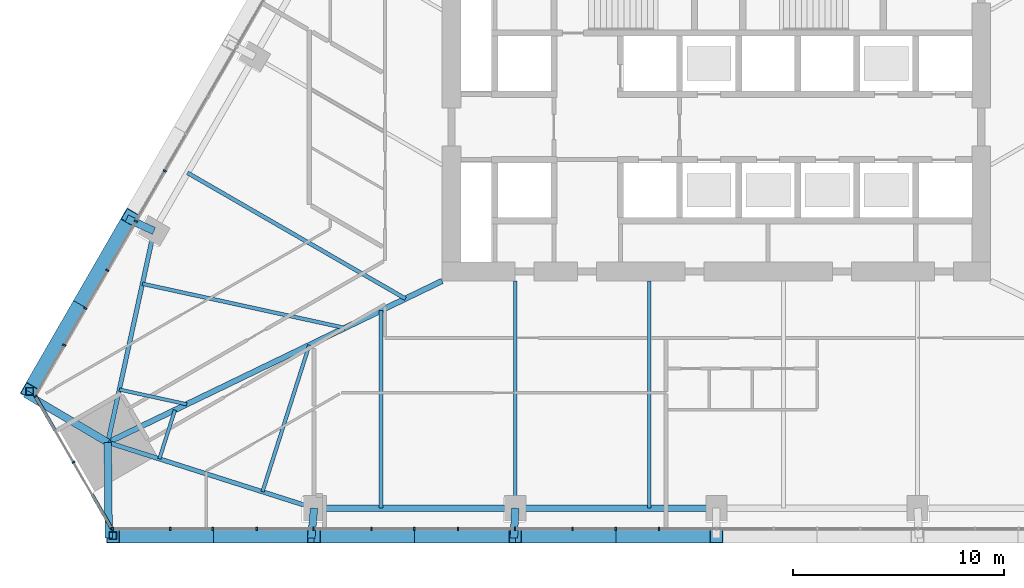
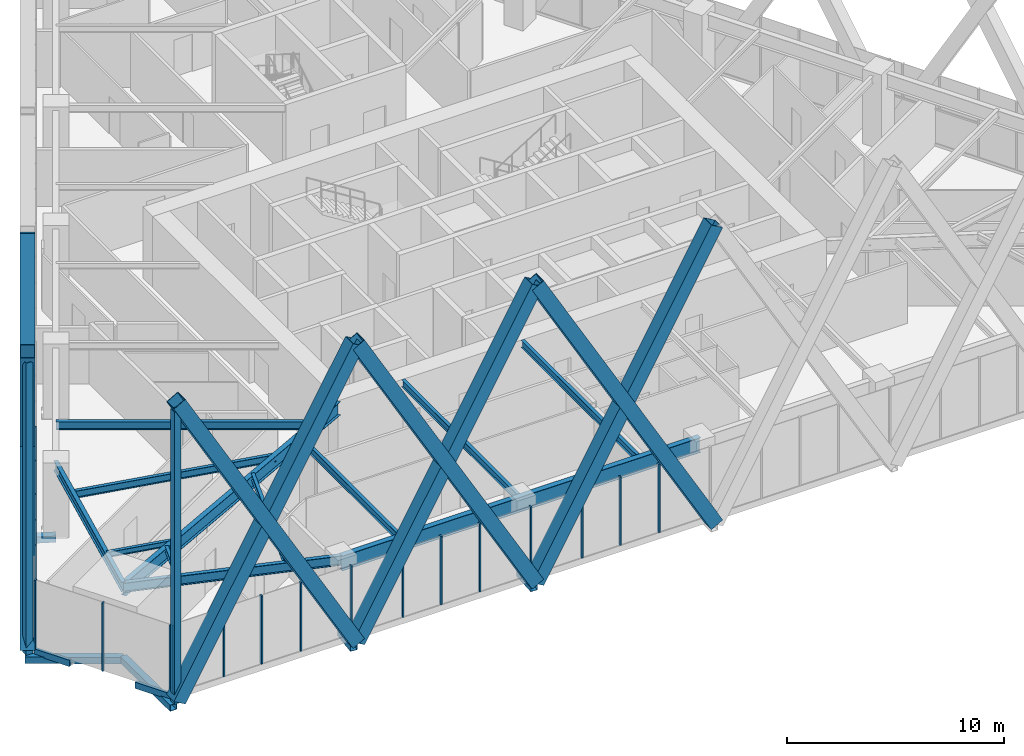
# One storey, part 2 of 23: 37 members, 12 beams, 3 elements without a shape of their own.
"""IFC4 building model written with IfcOpenShell, lengths in metres."""

from ifc_helpers import new_model, si_unit, direction, frame, origin, origin_2d, place, context, subcontext, project, spatial, rectangle, hollow_rectangle, i_section, extrude, material, layer, layer_set, material_profile, profile_set, type_object, element, aggregate, save


model = new_model("IFC4")

# Units and contexts
model_context = context("Model", 3, precision=1e-05, world=origin(), true_north=direction((0.0, 1.0)))
body_context = subcontext(model_context, "Body", "Model", "MODEL_VIEW")
ifc_project = project(units=[si_unit("LENGTHUNIT", "METRE"), si_unit("AREAUNIT", "SQUARE_METRE"), si_unit("VOLUMEUNIT", "CUBIC_METRE"), si_unit("PLANEANGLEUNIT", "RADIAN"), si_unit("MASSUNIT", "GRAM", prefix="KILO")], contexts=[model_context])

# Site, building, storey
site_placement = place(None, origin())
site = spatial("IfcSite", under=ifc_project, at=site_placement, CompositionType="ELEMENT")
building_placement = place(site_placement, origin())
building = spatial("IfcBuilding", under=site, at=building_placement, Name="Firuza Gate Tower and Library", CompositionType="ELEMENT")
storey_placement = place(building_placement, frame((0.0, 0.0, 56.800048828125)))
storey = spatial("IfcBuildingStorey", under=building, at=storey_placement, Name="L12", CompositionType="ELEMENT", Elevation=56.800048828125)

# Members
ifc_material_1 = material(Name="Steel S355", Category="steel")
ifc_material_profile_1 = material_profile(ifc_material_1, hollow_rectangle(XDim=0.699951171875, YDim=0.699951171875, WallThickness=0.030029296875, at=origin_2d()))
ifc_profile_set_1 = profile_set([ifc_material_profile_1], Name="Steel S355")
member_type_1 = type_object("IfcMemberType", Name="BU700x700x30 Lattice brace", PredefinedType="BRACE", material=ifc_profile_set_1)
for number, where, z_axis, x_axis, name in (
    (1, (46.396728515625, 53.928955078125, 0.0), (0.493576582997, 0.0, 0.869702337997), (0.0, 1.0, 0.0), "Lattice brace S 2.1R"),
    (2, (55.93115234375, 53.928955078125, 0.0), (-0.493576582997, 0.0, 0.869702337997), (0.0, -1.0, 0.0), "Lattice brace S 2.1L"),
    (3, (55.93115234375, 53.928955078125, 0.0), (0.493576582997, 0.0, 0.869702337997), (0.0, 1.0, 0.0), "Lattice brace S 2.2R"),
    (4, (65.465576171875, 53.928955078125, 0.0), (-0.493576582997, 0.0, 0.869702337997), (0.0, -1.0, 0.0), "Lattice brace S 2.2L"),
    (5, (65.465576171875, 53.928955078125, 0.0), (0.493576582997, 0.0, 0.869702337997), (0.0, 1.0, 0.0), "Lattice brace S 2.3R"),
    (6, (75.0, 53.928955078125, 0.0), (-0.493576582997, 0.0, 0.869702337997), (0.0, -1.0, 0.0), "Lattice brace S 2.3L"),
):
    element("IfcMember", number, at=place(storey_placement, frame(where, z_axis=z_axis, x_axis=x_axis)), inside=storey, type_object=member_type_1, Name=name, PredefinedType="BRACE", context=body_context, shape_type="SweptSolid", body=[
        extrude(hollow_rectangle(XDim=0.699951171875, YDim=0.699951171875, WallThickness=0.030029296875, at=origin_2d()), origin(), (0.0, 0.0, 1.0), 19.31689453125),
    ])
for number, where, z_axis, x_axis, name in (
    (7, (47.217529296875, 69.021484375, 0.0), (-0.246794079392, -0.427450328219, 0.869700465265), (0.866020563445, -0.50000838362, 0.0), "Lattice brace W 2.6R"),
    (8, (42.4501953125, 60.764404296875, 0.0), (0.246794079392, 0.427450328219, 0.869700465265), (-0.866020563445, 0.50000838362, 0.0), "Lattice brace W 2.6L"),
):
    element("IfcMember", number, at=place(storey_placement, frame(where, z_axis=z_axis, x_axis=x_axis)), inside=storey, type_object=member_type_1, Name=name, PredefinedType="BRACE", context=body_context, shape_type="SweptSolid", body=[
        extrude(hollow_rectangle(XDim=0.699951171875, YDim=0.699951171875, WallThickness=0.030029296875, at=origin_2d()), origin(), (0.0, 0.0, 1.0), 19.317138671875),
    ])

# Curtain wall, members
ifc_material_2 = material(Name="Aluminium 6063-T6", Category="aluminium")
ifc_layer_1 = layer(ifc_material_2, 0.14990234375)
ifc_layer_set_1 = layer_set([ifc_layer_1], Name="Unitised curtain wall, offices")
curtain_wall_type_1 = type_object("IfcCurtainWallType", Name="Unitised curtain wall, offices", PredefinedType="NOTDEFINED", material=ifc_layer_set_1)
placement = place(storey_placement, origin())
curtain_wall_1 = element("IfcCurtainWall", 9, at=placement, inside=storey, type_object=curtain_wall_type_1, Name="CW1 L12 S face", PredefinedType="NOTDEFINED")
ifc_material_3 = material(Name="Aluminium 6063-T6", Category="aluminium")
ifc_material_profile_2 = material_profile(ifc_material_3, rectangle(XDim=0.14990234375, YDim=0.080078125, at=origin_2d()))
ifc_profile_set_2 = profile_set([ifc_material_profile_2], Name="Aluminium 6063-T6")
member_type_2 = type_object("IfcMemberType", Name="Curtain wall mullion 80x150", PredefinedType="MULLION", material=ifc_profile_set_2)
member_1_placement = place(storey_placement, frame((46.393310546875, 54.25390625, 0.14990234375), z_axis=(0.0, 0.0, 1.0), x_axis=(0.0, 1.0, 0.0)))
member_1 = element("IfcMember", 10, at=member_1_placement, type_object=member_type_2, Name="Mullion", PredefinedType="MULLION", context=body_context, shape_type="SweptSolid", body=[
    extrude(rectangle(XDim=0.14990234375, YDim=0.080078125, at=origin_2d()), origin(), (0.0, 0.0, 1.0), 3.85009765625),
])
member_2_placement = place(storey_placement, frame((51.127685546875, 54.25390625, 0.14990234375), z_axis=(0.0, 0.0, 1.0), x_axis=(0.0, 1.0, 0.0)))
member_2 = element("IfcMember", 11, at=member_2_placement, type_object=member_type_2, Name="Mullion", PredefinedType="MULLION", context=body_context, shape_type="SweptSolid", body=[
    extrude(rectangle(XDim=0.14990234375, YDim=0.080078125, at=origin_2d()), origin(), (0.0, 0.0, 1.0), 3.85009765625),
])
member_3_placement = place(storey_placement, frame((55.902099609375, 54.25390625, 0.14990234375), z_axis=(0.0, 0.0, 1.0), x_axis=(0.0, 1.0, 0.0)))
member_3 = element("IfcMember", 12, at=member_3_placement, type_object=member_type_2, Name="Mullion", PredefinedType="MULLION", context=body_context, shape_type="SweptSolid", body=[
    extrude(rectangle(XDim=0.14990234375, YDim=0.080078125, at=origin_2d()), origin(), (0.0, 0.0, 1.0), 3.85009765625),
])
member_4_placement = place(storey_placement, frame((60.6767578125, 54.25390625, 0.14990234375), z_axis=(0.0, 0.0, 1.0), x_axis=(0.0, 1.0, 0.0)))
member_4 = element("IfcMember", 13, at=member_4_placement, type_object=member_type_2, Name="Mullion", PredefinedType="MULLION", context=body_context, shape_type="SweptSolid", body=[
    extrude(rectangle(XDim=0.14990234375, YDim=0.080078125, at=origin_2d()), origin(), (0.0, 0.0, 1.0), 3.85009765625),
])
member_5_placement = place(storey_placement, frame((65.451171875, 54.25390625, 0.14990234375), z_axis=(0.0, 0.0, 1.0), x_axis=(0.0, 1.0, 0.0)))
member_5 = element("IfcMember", 14, at=member_5_placement, type_object=member_type_2, Name="Mullion", PredefinedType="MULLION", context=body_context, shape_type="SweptSolid", body=[
    extrude(rectangle(XDim=0.14990234375, YDim=0.080078125, at=origin_2d()), origin(), (0.0, 0.0, 1.0), 3.85009765625),
])
member_6_placement = place(storey_placement, frame((70.2255859375, 54.25390625, 0.14990234375), z_axis=(0.0, 0.0, 1.0), x_axis=(0.0, 1.0, 0.0)))
member_6 = element("IfcMember", 15, at=member_6_placement, type_object=member_type_2, Name="Mullion", PredefinedType="MULLION", context=body_context, shape_type="SweptSolid", body=[
    extrude(rectangle(XDim=0.14990234375, YDim=0.080078125, at=origin_2d()), origin(), (0.0, 0.0, 1.0), 3.85009765625),
])
member_7_placement = place(storey_placement, frame((49.1142578125, 54.25390625, 0.14990234375), z_axis=(0.0, 0.0, 1.0), x_axis=(0.0, 1.0, 0.0)))
member_7 = element("IfcMember", 16, at=member_7_placement, type_object=member_type_2, Name="Mullion", PredefinedType="MULLION", context=body_context, shape_type="SweptSolid", body=[
    extrude(rectangle(XDim=0.14990234375, YDim=0.080078125, at=origin_2d()), origin(), (0.0, 0.0, 1.0), 3.85009765625),
])
member_8_placement = place(storey_placement, frame((53.213623046875, 54.25390625, 0.14990234375), z_axis=(0.0, 0.0, 1.0), x_axis=(0.0, 1.0, 0.0)))
member_8 = element("IfcMember", 17, at=member_8_placement, type_object=member_type_2, Name="Mullion", PredefinedType="MULLION", context=body_context, shape_type="SweptSolid", body=[
    extrude(rectangle(XDim=0.14990234375, YDim=0.080078125, at=origin_2d()), origin(), (0.0, 0.0, 1.0), 3.85009765625),
])
member_9_placement = place(storey_placement, frame((58.648681640625, 54.25390625, 0.14990234375), z_axis=(0.0, 0.0, 1.0), x_axis=(0.0, 1.0, 0.0)))
member_9 = element("IfcMember", 18, at=member_9_placement, type_object=member_type_2, Name="Mullion", PredefinedType="MULLION", context=body_context, shape_type="SweptSolid", body=[
    extrude(rectangle(XDim=0.14990234375, YDim=0.080078125, at=origin_2d()), origin(), (0.0, 0.0, 1.0), 3.85009765625),
])
member_10_placement = place(storey_placement, frame((62.748046875, 54.25390625, 0.14990234375), z_axis=(0.0, 0.0, 1.0), x_axis=(0.0, 1.0, 0.0)))
member_10 = element("IfcMember", 19, at=member_10_placement, type_object=member_type_2, Name="Mullion", PredefinedType="MULLION", context=body_context, shape_type="SweptSolid", body=[
    extrude(rectangle(XDim=0.14990234375, YDim=0.080078125, at=origin_2d()), origin(), (0.0, 0.0, 1.0), 3.85009765625),
])
member_11_placement = place(storey_placement, frame((68.18310546875, 54.25390625, 0.14990234375), z_axis=(0.0, 0.0, 1.0), x_axis=(0.0, 1.0, 0.0)))
member_11 = element("IfcMember", 20, at=member_11_placement, type_object=member_type_2, Name="Mullion", PredefinedType="MULLION", context=body_context, shape_type="SweptSolid", body=[
    extrude(rectangle(XDim=0.14990234375, YDim=0.080078125, at=origin_2d()), origin(), (0.0, 0.0, 1.0), 3.85009765625),
])
member_12_placement = place(storey_placement, frame((72.282470703125, 54.25390625, 0.14990234375), z_axis=(0.0, 0.0, 1.0), x_axis=(0.0, 1.0, 0.0)))
member_12 = element("IfcMember", 21, at=member_12_placement, type_object=member_type_2, Name="Mullion", PredefinedType="MULLION", context=body_context, shape_type="SweptSolid", body=[
    extrude(rectangle(XDim=0.14990234375, YDim=0.080078125, at=origin_2d()), origin(), (0.0, 0.0, 1.0), 3.85009765625),
])
aggregate(curtain_wall_1, [member_1, member_2, member_3, member_4, member_5, member_6, member_7, member_8, member_9, member_10, member_11, member_12])

curtain_wall_2 = element("IfcCurtainWall", 22, at=placement, inside=storey, type_object=curtain_wall_type_1, Name="CW1 L12 W face", PredefinedType="NOTDEFINED")
member_13_placement = place(storey_placement, frame((47.484375, 68.833984375, 0.14990234375), z_axis=(0.0, 0.0, 1.0), x_axis=(0.866025403784, -0.5, 0.0)))
member_13 = element("IfcMember", 23, at=member_13_placement, type_object=member_type_2, Name="Mullion", PredefinedType="MULLION", context=body_context, shape_type="SweptSolid", body=[
    extrude(rectangle(XDim=0.14990234375, YDim=0.080078125, at=origin_2d()), origin(), (0.0, 0.0, 1.0), 3.85009765625),
])
member_14_placement = place(storey_placement, frame((45.09716796875, 64.698974609375, 0.14990234375), z_axis=(0.0, 0.0, 1.0), x_axis=(0.866025403784, -0.5, 0.0)))
member_14 = element("IfcMember", 24, at=member_14_placement, type_object=member_type_2, Name="Mullion", PredefinedType="MULLION", context=body_context, shape_type="SweptSolid", body=[
    extrude(rectangle(XDim=0.14990234375, YDim=0.080078125, at=origin_2d()), origin(), (0.0, 0.0, 1.0), 3.85009765625),
])
member_15_placement = place(storey_placement, frame((48.857666015625, 71.21240234375, 0.14990234375), z_axis=(0.0, 0.0, 1.0), x_axis=(0.866025403784, -0.5, 0.0)))
member_15 = element("IfcMember", 25, at=member_15_placement, type_object=member_type_2, Name="Mullion", PredefinedType="MULLION", context=body_context, shape_type="SweptSolid", body=[
    extrude(rectangle(XDim=0.14990234375, YDim=0.080078125, at=origin_2d()), origin(), (0.0, 0.0, 1.0), 3.85009765625),
])
member_16_placement = place(storey_placement, frame((46.14013671875, 66.50537109375, 0.14990234375), z_axis=(0.0, 0.0, 1.0), x_axis=(0.866025403784, -0.5, 0.0)))
member_16 = element("IfcMember", 26, at=member_16_placement, type_object=member_type_2, Name="Mullion", PredefinedType="MULLION", context=body_context, shape_type="SweptSolid", body=[
    extrude(rectangle(XDim=0.14990234375, YDim=0.080078125, at=origin_2d()), origin(), (0.0, 0.0, 1.0), 3.85009765625),
])
member_17_placement = place(storey_placement, frame((44.09033203125, 62.955322265625, 0.14990234375), z_axis=(0.0, 0.0, 1.0), x_axis=(0.866025403784, -0.5, 0.0)))
member_17 = element("IfcMember", 27, at=member_17_placement, type_object=member_type_2, Name="Mullion", PredefinedType="MULLION", context=body_context, shape_type="SweptSolid", body=[
    extrude(rectangle(XDim=0.14990234375, YDim=0.080078125, at=origin_2d()), origin(), (0.0, 0.0, 1.0), 3.85009765625),
])
aggregate(curtain_wall_2, [member_13, member_14, member_15, member_16, member_17])

ifc_material_4 = material(Name="Aluminium 6063-T6", Category="aluminium")
ifc_layer_2 = layer(ifc_material_4, 0.14990234375)
ifc_layer_set_2 = layer_set([ifc_layer_2], Name="Corner curtain wall, chamfers")
curtain_wall_type_2 = type_object("IfcCurtainWallType", Name="Corner curtain wall, chamfers", PredefinedType="NOTDEFINED", material=ifc_layer_set_2)
curtain_wall_3 = element("IfcCurtainWall", 28, at=placement, inside=storey, type_object=curtain_wall_type_2, Name="CW4 L12 SW corner", PredefinedType="NOTDEFINED")
member_18_placement = place(storey_placement, frame((42.72998046875, 60.529541015625, 0.14990234375), z_axis=(0.0, 0.0, 1.0), x_axis=(0.866025403784, 0.5, 0.0)))
member_18 = element("IfcMember", 29, at=member_18_placement, type_object=member_type_2, Name="Mullion", PredefinedType="MULLION", context=body_context, shape_type="SweptSolid", body=[
    extrude(rectangle(XDim=0.14990234375, YDim=0.080078125, at=origin_2d()), origin(), (0.0, 0.0, 1.0), 3.85009765625),
])
member_19_placement = place(storey_placement, frame((44.53173828125, 57.4091796875, 0.14990234375), z_axis=(0.0, 0.0, 1.0), x_axis=(0.866025403784, 0.5, 0.0)))
member_19 = element("IfcMember", 30, at=member_19_placement, type_object=member_type_2, Name="Mullion", PredefinedType="MULLION", context=body_context, shape_type="SweptSolid", body=[
    extrude(rectangle(XDim=0.14990234375, YDim=0.080078125, at=origin_2d()), origin(), (0.0, 0.0, 1.0), 3.85009765625),
])
member_20_placement = place(storey_placement, frame((46.333251953125, 54.28857421875, 0.14990234375), z_axis=(0.0, 0.0, 1.0), x_axis=(0.866025403784, 0.5, 0.0)))
member_20 = element("IfcMember", 31, at=member_20_placement, type_object=member_type_2, Name="Mullion", PredefinedType="MULLION", context=body_context, shape_type="SweptSolid", body=[
    extrude(rectangle(XDim=0.14990234375, YDim=0.080078125, at=origin_2d()), origin(), (0.0, 0.0, 1.0), 3.85009765625),
])
ifc_material_5 = material(Name="Aluminium 6063-T6", Category="aluminium")
ifc_material_profile_3 = material_profile(ifc_material_5, rectangle(XDim=0.14990234375, YDim=0.35009765625, at=origin_2d()))
ifc_profile_set_3 = profile_set([ifc_material_profile_3], Name="Aluminium 6063-T6")
member_type_3 = type_object("IfcMemberType", Name="Curtain wall transom 350x150", PredefinedType="USERDEFINED", material=ifc_profile_set_3)
member_21_placement = place(storey_placement, frame((42.7099609375, 60.564208984375, -0.025146484375), z_axis=(0.499983064336, -0.866035181374, 0.0), x_axis=(0.866035181374, 0.499983064336, 0.0)))
member_21 = element("IfcMember", 32, at=member_21_placement, type_object=member_type_3, Name="Transom", ObjectType="TRANSOM", PredefinedType="USERDEFINED", context=body_context, shape_type="SweptSolid", body=[
    extrude(rectangle(XDim=0.14990234375, YDim=0.35009765625, at=origin_2d()), origin(), (0.0, 0.0, 1.0), 1.89208984375),
])
member_22_placement = place(storey_placement, frame((45.4072265625, 55.892578125, -0.025146484375), z_axis=(0.499983064336, -0.866035181374, 0.0), x_axis=(0.866035181374, 0.499983064336, 0.0)))
member_22 = element("IfcMember", 33, at=member_22_placement, type_object=member_type_3, Name="Transom", ObjectType="TRANSOM", PredefinedType="USERDEFINED", context=body_context, shape_type="SweptSolid", body=[
    extrude(rectangle(XDim=0.14990234375, YDim=0.35009765625, at=origin_2d()), origin(), (0.0, 0.0, 1.0), 1.89208984375),
])
aggregate(curtain_wall_3, [member_18, member_19, member_20, member_21, member_22])

# Members
ifc_material_6 = material(Name="Steel S355", Category="steel")
ifc_material_profile_4 = material_profile(ifc_material_6, hollow_rectangle(XDim=0.355712890625, YDim=0.355712890625, WallThickness=0.014892578125, at=origin_2d()))
ifc_profile_set_4 = profile_set([ifc_material_profile_4], Name="Steel S355")
member_type_4 = type_object("IfcMemberType", Name="HSS356x356x16 Lattice corner stile", PredefinedType="BRACE", material=ifc_profile_set_4)
for number, where, z_axis, x_axis, name in (
    (34, (46.396728515625, 53.928955078125, -0.14013671875), (0.0, 0.0, 1.0), (1.0, 0.0, 0.0), "Lattice corner stile S 2.A"),
    (35, (42.4501953125, 60.764404296875, -0.14013671875), (0.0, 0.0, 1.0), (1.0, 0.0, 0.0), "Lattice corner stile W 2.B"),
):
    element("IfcMember", number, at=place(storey_placement, frame(where, z_axis=z_axis, x_axis=x_axis)), inside=storey, type_object=member_type_4, Name=name, PredefinedType="BRACE", context=body_context, shape_type="SweptSolid", body=[
        extrude(hollow_rectangle(XDim=0.355712890625, YDim=0.355712890625, WallThickness=0.014892578125, at=origin_2d()), origin(), (0.0, 0.0, 1.0), 16.440185546875),
    ])
ifc_material_7 = material(Name="Steel S355", Category="steel")
ifc_material_profile_5 = material_profile(ifc_material_7, hollow_rectangle(XDim=0.355712890625, YDim=0.355712890625, WallThickness=0.014892578125, at=origin_2d()))
ifc_profile_set_5 = profile_set([ifc_material_profile_5], Name="Steel S355")
member_type_5 = type_object("IfcMemberType", Name="HSS356x356x16 Lattice node tie", PredefinedType="BRACE", material=ifc_profile_set_5)
member_23_placement = place(storey_placement, frame((46.155517578125, 58.3466796875, -0.320068359375), z_axis=(0.009805563051, -0.999951924311, 0.0), x_axis=(0.999951924311, 0.009805563051, 0.0)))
element("IfcMember", 36, at=member_23_placement, inside=storey, type_object=member_type_5, Name="Lattice node tie S L12 29", PredefinedType="BRACE", context=body_context, shape_type="SweptSolid", body=[
    extrude(hollow_rectangle(XDim=0.355712890625, YDim=0.355712890625, WallThickness=0.014892578125, at=origin_2d()), origin(), (0.0, 0.0, 1.0), 4.531494140625),
])
member_24_placement = place(storey_placement, frame((55.93115234375, 55.22900390625, -0.320068359375), z_axis=(-0.092349775402, -0.99572662864, 0.0), x_axis=(0.99572662864, -0.092349775402, 0.0)))
element("IfcMember", 37, at=member_24_placement, inside=storey, type_object=member_type_5, Name="Lattice node tie S L12 30", PredefinedType="BRACE", context=body_context, shape_type="SweptSolid", body=[
    extrude(hollow_rectangle(XDim=0.355712890625, YDim=0.355712890625, WallThickness=0.014892578125, at=origin_2d()), origin(), (0.0, 0.0, 1.0), 1.419677734375),
])
member_25_placement = place(storey_placement, frame((65.465576171875, 55.22900390625, -0.320068359375), z_axis=(-0.046409353018, -0.998922505479, 0.0), x_axis=(0.998922505479, -0.046409353018, 0.0)))
element("IfcMember", 38, at=member_25_placement, inside=storey, type_object=member_type_5, Name="Lattice node tie S L12 31", PredefinedType="BRACE", context=body_context, shape_type="SweptSolid", body=[
    extrude(hollow_rectangle(XDim=0.355712890625, YDim=0.355712890625, WallThickness=0.014892578125, at=origin_2d()), origin(), (0.0, 0.0, 1.0), 1.4150390625),
])
member_26_placement = place(storey_placement, frame((46.155517578125, 58.3466796875, -0.320068359375), z_axis=(-0.861065933124, 0.508493322289, 0.0), x_axis=(-0.508493322289, -0.861065933124, 0.0)))
element("IfcMember", 39, at=member_26_placement, inside=storey, type_object=member_type_5, Name="Lattice node tie W L12 36", PredefinedType="BRACE", context=body_context, shape_type="SweptSolid", body=[
    extrude(hollow_rectangle(XDim=0.355712890625, YDim=0.355712890625, WallThickness=0.014892578125, at=origin_2d()), origin(), (0.0, 0.0, 1.0), 4.531494140625),
])
member_27_placement = place(storey_placement, frame((48.34326171875, 68.371337890625, -0.320068359375), z_axis=(-0.908472167867, 0.417945355532, 0.0), x_axis=(-0.417945355532, -0.908472167867, 0.0)))
element("IfcMember", 40, at=member_27_placement, inside=storey, type_object=member_type_5, Name="Lattice node tie W L12 37", PredefinedType="BRACE", context=body_context, shape_type="SweptSolid", body=[
    extrude(hollow_rectangle(XDim=0.355712890625, YDim=0.355712890625, WallThickness=0.014892578125, at=origin_2d()), origin(), (0.0, 0.0, 1.0), 1.41943359375),
])

# Beams
ifc_material_8 = material(Name="Steel S355", Category="steel")
ifc_material_profile_6 = material_profile(ifc_material_8, i_section(OverallWidth=0.1650390625, OverallDepth=0.31005859375, WebThickness=0.005859375, FlangeThickness=0.009765625, at=origin_2d()))
ifc_profile_set_6 = profile_set([ifc_material_profile_6], Name="Steel S355")
beam_type_1 = type_object("IfcBeamType", Name="W310x39 Floor beam", PredefinedType="JOIST", material=ifc_profile_set_6)
beam_1_placement = place(storey_placement, frame((46.702392578125, 60.852783203125, 3.844970703125), z_axis=(0.977001633278, -0.213231818855, 0.0), x_axis=(0.213231818855, 0.977001633278, 0.0)))
element("IfcBeam", 41, at=beam_1_placement, inside=storey, type_object=beam_type_1, Name="Floor beam L12 s01", PredefinedType="JOIST", context=body_context, shape_type="SweptSolid", body=[
    extrude(i_section(OverallWidth=0.1650390625, OverallDepth=0.31005859375, WebThickness=0.005859375, FlangeThickness=0.009765625, at=origin_2d()), origin(), (0.0, 0.0, 1.0), 3.272216796875),
])
beam_2_placement = place(storey_placement, frame((48.599365234375, 57.567138671875, 3.844970703125), z_axis=(0.303883149111, 0.952709311221, 0.0), x_axis=(-0.952709311221, 0.303883149111, 0.0)))
element("IfcBeam", 42, at=beam_2_placement, inside=storey, type_object=beam_type_1, Name="Floor beam L12 s10", PredefinedType="JOIST", context=body_context, shape_type="SweptSolid", body=[
    extrude(i_section(OverallWidth=0.1650390625, OverallDepth=0.31005859375, WebThickness=0.005859375, FlangeThickness=0.009765625, at=origin_2d()), origin(), (0.0, 0.0, 1.0), 2.431884765625),
])
ifc_material_9 = material(Name="Steel S355", Category="steel")
ifc_material_profile_7 = material_profile(ifc_material_9, i_section(OverallWidth=0.1708984375, OverallDepth=0.35498046875, WebThickness=0.007080078125, FlangeThickness=0.01171875, at=origin_2d()))
ifc_profile_set_7 = profile_set([ifc_material_profile_7], Name="Steel S355")
beam_type_2 = type_object("IfcBeamType", Name="W360x51 Floor beam", PredefinedType="JOIST", material=ifc_profile_set_7)
beam_3_placement = place(storey_placement, frame((53.4873046875, 56.00830078125, 3.822509765625), z_axis=(0.303832087289, 0.952725596766, 0.0), x_axis=(-0.952725596766, 0.303832087289, 0.0)))
element("IfcBeam", 43, at=beam_3_placement, inside=storey, type_object=beam_type_2, Name="Floor beam L12 s11", PredefinedType="JOIST", context=body_context, shape_type="SweptSolid", body=[
    extrude(i_section(OverallWidth=0.1708984375, OverallDepth=0.35498046875, WebThickness=0.007080078125, FlangeThickness=0.01171875, at=origin_2d()), origin(), (0.0, 0.0, 1.0), 7.29541015625),
])
ifc_material_10 = material(Name="Steel S355", Category="steel")
ifc_material_profile_8 = material_profile(ifc_material_10, i_section(OverallWidth=0.177978515625, OverallDepth=0.406982421875, WebThickness=0.0078125, FlangeThickness=0.0126953125, at=origin_2d()))
ifc_profile_set_8 = profile_set([ifc_material_profile_8], Name="Steel S355")
beam_type_3 = type_object("IfcBeamType", Name="W410x60 Floor beam", PredefinedType="JOIST", material=ifc_profile_set_8)
beam_4_placement = place(storey_placement, frame((47.79638671875, 65.865234375, 3.79638671875), z_axis=(0.977001633278, -0.213231818855, 0.0), x_axis=(0.213231818855, 0.977001633278, 0.0)))
element("IfcBeam", 44, at=beam_4_placement, inside=storey, type_object=beam_type_3, Name="Floor beam L12 s00", PredefinedType="JOIST", context=body_context, shape_type="SweptSolid", body=[
    extrude(i_section(OverallWidth=0.177978515625, OverallDepth=0.406982421875, WebThickness=0.0078125, FlangeThickness=0.0126953125, at=origin_2d()), origin(), (0.0, 0.0, 1.0), 9.81689453125),
])
beam_5_placement = place(storey_placement, frame((59.109130859375, 55.22900390625, 3.79638671875), z_axis=(0.0, 1.0, 0.0), x_axis=(-1.0, 0.0, 0.0)))
element("IfcBeam", 45, at=beam_5_placement, inside=storey, type_object=beam_type_3, Name="Floor beam L12 s20", PredefinedType="JOIST", context=body_context, shape_type="SweptSolid", body=[
    extrude(i_section(OverallWidth=0.177978515625, OverallDepth=0.406982421875, WebThickness=0.0078125, FlangeThickness=0.0126953125, at=origin_2d()), origin(), (0.0, 0.0, 1.0), 9.374755859375),
])
for number, where, z_axis, x_axis, name in (
    (46, (65.465576171875, 55.22900390625, 3.79638671875), (0.0, 1.0, 0.0), (-1.0, 0.0, 0.0), "Floor beam L12 s21"),
    (47, (71.82177734375, 55.22900390625, 3.79638671875), (0.0, 1.0, 0.0), (-1.0, 0.0, 0.0), "Floor beam L12 s22"),
):
    element("IfcBeam", number, at=place(storey_placement, frame(where, z_axis=z_axis, x_axis=x_axis)), inside=storey, type_object=beam_type_3, Name=name, PredefinedType="JOIST", context=body_context, shape_type="SweptSolid", body=[
        extrude(i_section(OverallWidth=0.177978515625, OverallDepth=0.406982421875, WebThickness=0.0078125, FlangeThickness=0.0126953125, at=origin_2d()), origin(), (0.0, 0.0, 1.0), 10.77099609375),
    ])
ifc_material_11 = material(Name="Steel S355", Category="steel")
ifc_material_profile_9 = material_profile(ifc_material_11, i_section(OverallWidth=0.18994140625, OverallDepth=0.45703125, WebThickness=0.009033203125, FlangeThickness=0.014404296875, at=origin_2d()))
ifc_profile_set_9 = profile_set([ifc_material_profile_9], Name="Steel S355")
beam_type_4 = type_object("IfcBeamType", Name="W460x74 Floor beam", PredefinedType="JOIST", material=ifc_profile_set_9)
beam_6_placement = place(storey_placement, frame((49.932373046875, 71.123779296875, 3.771484375), z_axis=(0.866021283888, -0.500007135802, 0.0), x_axis=(0.500007135802, 0.866021283888, 0.0)))
element("IfcBeam", 48, at=beam_6_placement, inside=storey, type_object=beam_type_4, Name="Floor beam L12 s85", PredefinedType="JOIST", context=body_context, shape_type="SweptSolid", body=[
    extrude(i_section(OverallWidth=0.18994140625, OverallDepth=0.45703125, WebThickness=0.009033203125, FlangeThickness=0.014404296875, at=origin_2d()), origin(), (0.0, 0.0, 1.0), 11.927001953125),
])
ifc_material_12 = material(Name="Steel S355", Category="steel")
ifc_material_profile_10 = material_profile(ifc_material_12, i_section(OverallWidth=0.212890625, OverallDepth=0.5390625, WebThickness=0.01171875, FlangeThickness=0.018798828125, at=origin_2d()))
ifc_profile_set_10 = profile_set([ifc_material_profile_10], Name="Steel S355")
beam_type_5 = type_object("IfcBeamType", Name="W530x109 Edge beam", PredefinedType="SPANDREL", material=ifc_profile_set_10)
beam_7_placement = place(storey_placement, frame((48.34326171875, 68.371337890625, 3.73046875), z_axis=(-0.21321786896, -0.977004677756, 0.0), x_axis=(0.977004677756, -0.21321786896, 0.0)))
element("IfcBeam", 49, at=beam_7_placement, inside=storey, type_object=beam_type_5, Name="Edge beam L12 e00", PredefinedType="SPANDREL", context=body_context, shape_type="SweptSolid", body=[
    extrude(i_section(OverallWidth=0.212890625, OverallDepth=0.5390625, WebThickness=0.01171875, FlangeThickness=0.018798828125, at=origin_2d()), origin(), (0.0, 0.0, 1.0), 10.260498046875),
])
beam_8_placement = place(storey_placement, frame((46.155517578125, 58.3466796875, 3.73046875), z_axis=(0.952721510235, -0.303844901119, 0.0), x_axis=(0.303844901119, 0.952721510235, 0.0)))
element("IfcBeam", 50, at=beam_8_placement, inside=storey, type_object=beam_type_5, Name="Edge beam L12 e10", PredefinedType="SPANDREL", context=body_context, shape_type="SweptSolid", body=[
    extrude(i_section(OverallWidth=0.212890625, OverallDepth=0.5390625, WebThickness=0.01171875, FlangeThickness=0.018798828125, at=origin_2d()), origin(), (0.0, 0.0, 1.0), 10.2607421875),
])
ifc_material_13 = material(Name="Steel S355", Category="steel")
ifc_material_profile_11 = material_profile(ifc_material_13, i_section(OverallWidth=0.264892578125, OverallDepth=0.7529296875, WebThickness=0.01318359375, FlangeThickness=0.01708984375, at=origin_2d()))
ifc_profile_set_11 = profile_set([ifc_material_profile_11], Name="Steel S355")
beam_type_6 = type_object("IfcBeamType", Name="W760x147 Girder", PredefinedType="BEAM", material=ifc_profile_set_11)
beam_9_placement = place(storey_placement, frame((46.155517578125, 58.3466796875, 3.62353515625), z_axis=(0.90045683322, 0.434945389109, 0.0), x_axis=(-0.434945389109, 0.90045683322, 0.0)))
element("IfcBeam", 51, at=beam_9_placement, inside=storey, type_object=beam_type_6, Name="Girder L12 gSW", PredefinedType="BEAM", context=body_context, shape_type="SweptSolid", body=[
    extrude(i_section(OverallWidth=0.264892578125, OverallDepth=0.7529296875, WebThickness=0.01318359375, FlangeThickness=0.01708984375, at=origin_2d()), origin(), (0.0, 0.0, 1.0), 17.595947265625),
])
ifc_material_14 = material(Name="Steel S355", Category="steel")
ifc_material_profile_12 = material_profile(ifc_material_14, i_section(OverallWidth=0.2919921875, OverallDepth=0.8349609375, WebThickness=0.013916015625, FlangeThickness=0.018798828125, at=origin_2d()))
ifc_profile_set_12 = profile_set([ifc_material_profile_12], Name="Steel S355")
beam_type_7 = type_object("IfcBeamType", Name="W840x176 Edge beam", PredefinedType="SPANDREL", material=ifc_profile_set_12)
beam_10_placement = place(storey_placement, frame((55.93115234375, 55.22900390625, 3.58251953125), z_axis=(1.0, 0.0, 0.0), x_axis=(0.0, 1.0, 0.0)))
element("IfcBeam", 52, at=beam_10_placement, inside=storey, type_object=beam_type_7, Name="Edge beam L12 e20", PredefinedType="SPANDREL", context=body_context, shape_type="SweptSolid", body=[
    extrude(i_section(OverallWidth=0.2919921875, OverallDepth=0.8349609375, WebThickness=0.013916015625, FlangeThickness=0.018798828125, at=origin_2d()), origin(), (0.0, 0.0, 1.0), 19.06884765625),
])

save(model, "model.ifc")
